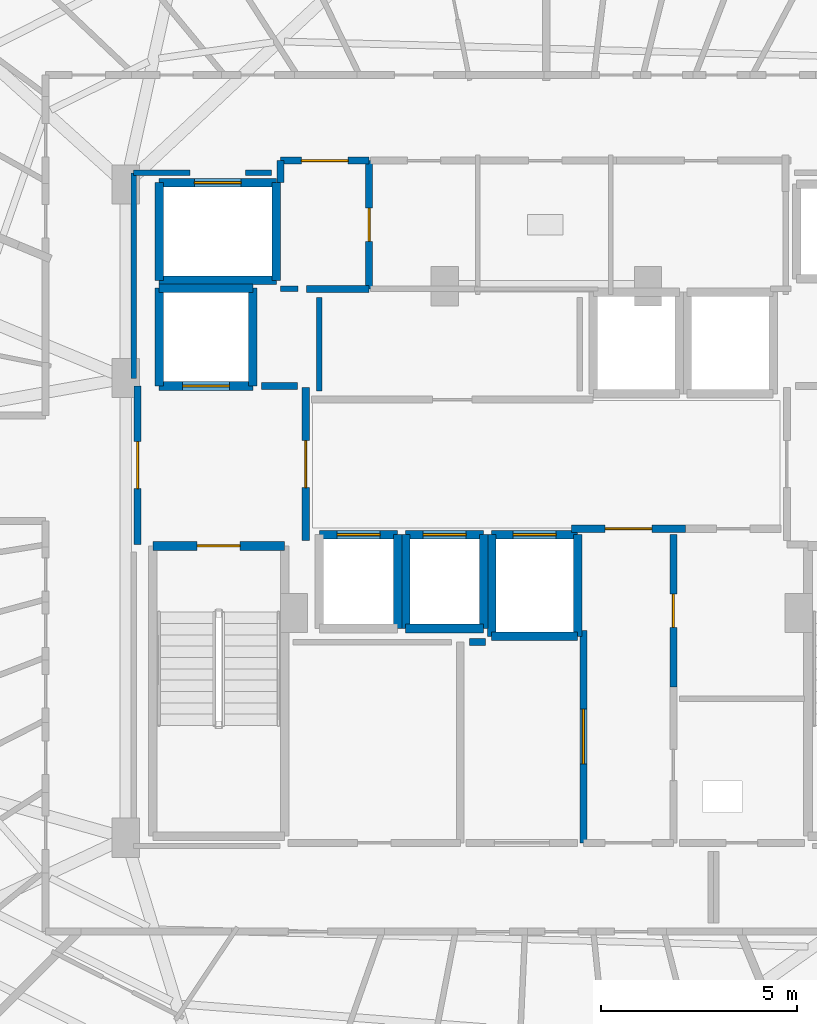
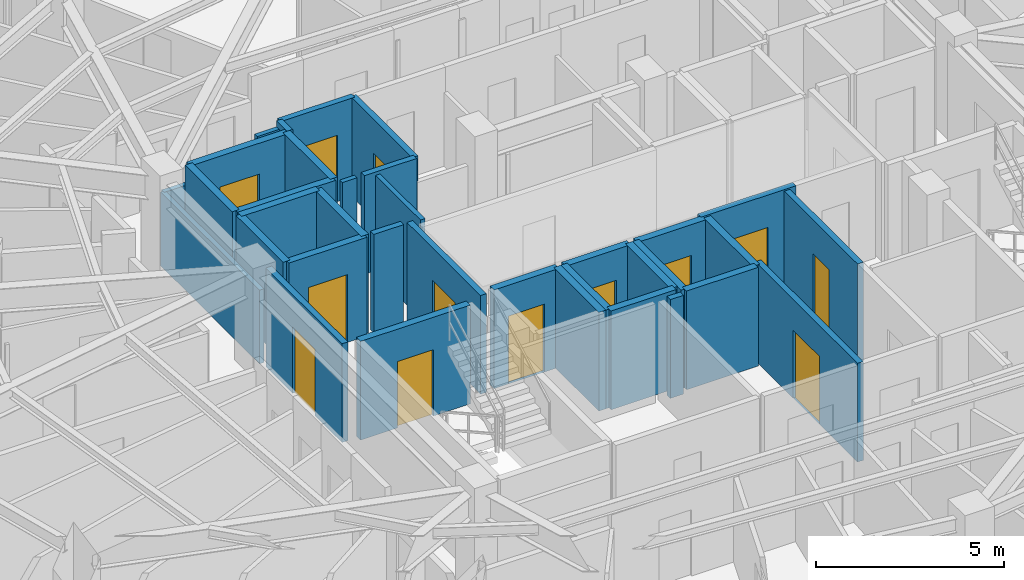
# One storey, part 26 of 33: 35 walls, 13 doors, 13 openings.
"""IFC4 building model written with IfcOpenShell, lengths in metres."""

from ifc_helpers import new_model, si_unit, direction, frame, frame_2d, origin, place, context, subcontext, project, spatial, rectangle, extrude, material, layer, layer_set, type_object, element, fill, save


model = new_model("IFC4")

# Units and contexts
model_context = context("Model", 3, precision=1e-05, world=origin(), true_north=direction((0.0, 1.0)))
body_context = subcontext(model_context, "Body", "Model", "MODEL_VIEW")
ifc_project = project(units=[si_unit("LENGTHUNIT", "METRE"), si_unit("AREAUNIT", "SQUARE_METRE"), si_unit("VOLUMEUNIT", "CUBIC_METRE"), si_unit("PLANEANGLEUNIT", "RADIAN"), si_unit("MASSUNIT", "GRAM", prefix="KILO")], contexts=[model_context])

# Site, building, storey
site_placement = place(None, origin())
site = spatial("IfcSite", under=ifc_project, at=site_placement, CompositionType="ELEMENT")
building_placement = place(site_placement, origin())
building = spatial("IfcBuilding", under=site, at=building_placement, Name="Vorneva Point Tower", CompositionType="ELEMENT")
storey_placement = place(building_placement, frame((0.0, 0.0, 221.39990234375)))
storey = spatial("IfcBuildingStorey", under=building, at=storey_placement, Name="L60", CompositionType="ELEMENT", Elevation=221.39990234375)

# Wall, opening, door
ifc_material_1 = material(Name="Concrete B60 (C50/60)", Category="concrete")
ifc_layer_1 = layer(ifc_material_1, 0.35009765625)
ifc_layer_set_1 = layer_set([ifc_layer_1], Name="Concrete B60 (C50/60)")
wall_type_1 = type_object("IfcWallType", Name="WL-CORE-350", PredefinedType="SHEAR", material=ifc_layer_set_1)
wall_1_placement = place(storey_placement, frame((28.10009765625, 28.0, 0.0), z_axis=(0.0, 0.0, 1.0), x_axis=(1.0, 0.0, 0.0)))
wall_1 = element("IfcWall", 1, at=wall_1_placement, inside=storey, type_object=wall_type_1, Name="L60 Lift FFL1 Shaft Wall -Y", PredefinedType="SHEAR", context=body_context, shape_type="SweptSolid", body=[
    extrude(rectangle(XDim=2.39990234375, YDim=0.219970703125, at=frame_2d((1.199951171875, 0.0))), origin(), (0.0, 0.0, 1.0), 3.2001953125),
])
opening_1_placement = place(wall_1_placement, frame((0.60009765625, 0.0, 0.0)))
opening_1 = element("IfcOpeningElement", 2, at=opening_1_placement, cuts=wall_1, Name="Opening LD-02", PredefinedType="OPENING", context=body_context, shape_type="SweptSolid", body=[
    extrude(rectangle(XDim=1.199951171875, YDim=2.199951171875, at=frame_2d((0.60009765625, 1.10009765625))), frame((0.0, 0.125, 0.0), z_axis=(0.0, -1.0, 0.0), x_axis=(1.0, 0.0, 0.0)), (0.0, 0.0, 1.0), 0.249755859375),
])
ifc_material_2 = material(Name="Brushed stainless steel S304", Category="steel")
door_type_1 = type_object("IfcDoorType", Name="LD-FIRE-1200", OperationType="SLIDING_TO_LEFT", PredefinedType="DOOR", material=ifc_material_2)
door_1_placement = place(opening_1_placement, origin())
door_1 = element("IfcDoor", 3, at=door_1_placement, inside=storey, type_object=door_type_1, Name="L60 Lift FFL1 Sliding Landing Door", OperationType="SLIDING_TO_LEFT", OverallHeight=2.199951171875, OverallWidth=1.199951171875, PredefinedType="DOOR", context=body_context, shape_type="SweptSolid", body=[
    extrude(rectangle(XDim=1.199951171875, YDim=2.199951171875, at=frame_2d((0.60009765625, 1.10009765625))), frame((0.0, 0.02490234375, 0.0), z_axis=(0.0, -1.0, 0.0), x_axis=(1.0, 0.0, 0.0)), (0.0, 0.0, 1.0), 0.050048828125),
])
fill(opening_1, door_1)

# Walls
wall_2_placement = place(storey_placement, frame((30.5, 28.0, 0.0), z_axis=(0.0, 0.0, 1.0), x_axis=(0.0, 1.0, 0.0)))
element("IfcWall", 4, at=wall_2_placement, inside=storey, type_object=wall_type_1, Name="L60 Lift FFL1 Shaft Wall +X", PredefinedType="SHEAR", context=body_context, shape_type="SweptSolid", body=[
    extrude(rectangle(XDim=2.5, YDim=0.219970703125, at=frame_2d((1.25, 0.0))), origin(), (0.0, 0.0, 1.0), 3.2001953125),
])
wall_3_placement = place(storey_placement, frame((30.5, 30.5, 0.0), z_axis=(0.0, 0.0, 1.0), x_axis=(-1.0, 0.0, 0.0)))
element("IfcWall", 5, at=wall_3_placement, inside=storey, type_object=wall_type_1, Name="L60 Lift FFL1 Shaft Wall +Y", PredefinedType="SHEAR", context=body_context, shape_type="SweptSolid", body=[
    extrude(rectangle(XDim=2.39990234375, YDim=0.219970703125, at=frame_2d((1.199951171875, 0.0))), origin(), (0.0, 0.0, 1.0), 3.2001953125),
])
wall_4_placement = place(storey_placement, frame((28.10009765625, 30.5, 0.0), z_axis=(0.0, 0.0, 1.0), x_axis=(0.0, -1.0, 0.0)))
element("IfcWall", 6, at=wall_4_placement, inside=storey, type_object=wall_type_1, Name="L60 Lift FFL1 Shaft Wall -X", PredefinedType="SHEAR", context=body_context, shape_type="SweptSolid", body=[
    extrude(rectangle(XDim=2.5, YDim=0.219970703125, at=frame_2d((1.25, 0.0))), origin(), (0.0, 0.0, 1.0), 3.2001953125),
])
ifc_material_3 = material(Name="Fire-rated acoustic gypsum stud partition", Category="gypsum")
ifc_layer_2 = layer(ifc_material_3, 0.139892578125)
ifc_layer_set_2 = layer_set([ifc_layer_2], Name="Fire-rated acoustic gypsum stud partition")
wall_type_2 = type_object("IfcWallType", Name="WL-PART-140", PredefinedType="PARTITIONING", material=ifc_layer_set_2)
wall_5_placement = place(storey_placement, frame((31.199951171875, 30.47998046875, 0.0), z_axis=(0.0, 0.0, 1.0), x_axis=(1.0, 0.0, 0.0)))
element("IfcWall", 7, at=wall_5_placement, inside=storey, type_object=wall_type_2, Name="L60 Interior Closure Partition 162", PredefinedType="PARTITIONING", context=body_context, shape_type="SweptSolid", body=[
    extrude(rectangle(XDim=0.449951171875, YDim=0.139892578125, at=frame_2d((0.22509765625, 0.0))), origin(), (0.0, 0.0, 1.0), 3.2001953125),
])
wall_6_placement = place(storey_placement, frame((32.199951171875, 30.260009765625, 0.0), z_axis=(0.0, 0.0, 1.0), x_axis=(0.0, -1.0, 0.0)))
element("IfcWall", 8, at=wall_6_placement, inside=storey, type_object=wall_type_2, Name="L60 Interior Closure Partition 167", PredefinedType="PARTITIONING", context=body_context, shape_type="SweptSolid", body=[
    extrude(rectangle(XDim=2.389892578125, YDim=0.139892578125, at=frame_2d((1.19482421875, 0.0))), origin(), (0.0, 0.0, 1.0), 3.2001953125),
])
wall_7_placement = place(storey_placement, frame((30.97998046875, 33.449951171875, 0.0), z_axis=(0.0, 0.0, 1.0), x_axis=(-1.0, 0.0, 0.0)))
element("IfcWall", 9, at=wall_7_placement, inside=storey, type_object=wall_type_2, Name="L60 Interior Closure Partition 172", PredefinedType="PARTITIONING", context=body_context, shape_type="SweptSolid", body=[
    extrude(rectangle(XDim=0.674072265625, YDim=0.139892578125, at=frame_2d((0.3369140625, 0.0))), origin(), (0.0, 0.0, 1.0), 3.2001953125),
])
wall_8_placement = place(storey_placement, frame((28.89404296875, 33.449951171875, 0.0), z_axis=(0.0, 0.0, 1.0), x_axis=(-1.0, 0.0, 0.0)))
element("IfcWall", 10, at=wall_8_placement, inside=storey, type_object=wall_type_2, Name="L60 Interior Closure Partition 173", PredefinedType="PARTITIONING", context=body_context, shape_type="SweptSolid", body=[
    extrude(rectangle(XDim=1.444091796875, YDim=0.139892578125, at=frame_2d((0.72216796875, 0.0))), origin(), (0.0, 0.0, 1.0), 2.39208984375),
])
wall_9_placement = place(storey_placement, frame((27.449951171875, 33.449951171875, 0.0), z_axis=(0.0, 0.0, 1.0), x_axis=(0.0, -1.0, 0.0)))
element("IfcWall", 11, at=wall_9_placement, inside=storey, type_object=wall_type_2, Name="L60 Interior Closure Partition 174", PredefinedType="PARTITIONING", context=body_context, shape_type="SweptSolid", body=[
    extrude(rectangle(XDim=5.25390625, YDim=0.139892578125, at=frame_2d((2.626953125, 0.0))), origin(), (0.0, 0.0, 1.0), 2.39208984375),
])

# Wall, opening, door
ifc_material_4 = material(Name="Autoclaved aerated concrete blockwork", Category="masonry")
ifc_layer_3 = layer(ifc_material_4, 0.179931640625)
ifc_layer_set_3 = layer_set([ifc_layer_3], Name="Autoclaved aerated concrete blockwork")
wall_type_3 = type_object("IfcWallType", Name="WL-PART-180", PredefinedType="PARTITIONING", material=ifc_layer_set_3)
wall_10_placement = place(storey_placement, frame((31.85009765625, 24.044921875, 0.0), z_axis=(0.0, 0.0, 1.0), x_axis=(0.0, 1.0, 0.0)))
wall_10 = element("IfcWall", 12, at=wall_10_placement, inside=storey, type_object=wall_type_3, Name="L60 Interior Partition 001", PredefinedType="PARTITIONING", context=body_context, shape_type="SweptSolid", body=[
    extrude(rectangle(XDim=3.91015625, YDim=0.179931640625, at=frame_2d((1.955078125, 0.0))), origin(), (0.0, 0.0, 1.0), 3.2001953125),
])
opening_2_placement = place(wall_10_placement, frame((1.35498046875, 0.0, 0.0)))
opening_2 = element("IfcOpeningElement", 13, at=opening_2_placement, cuts=wall_10, Name="Opening FD-02", PredefinedType="OPENING", context=body_context, shape_type="SweptSolid", body=[
    extrude(rectangle(XDim=1.199951171875, YDim=2.14990234375, at=frame_2d((0.60009765625, 1.074951171875))), frame((0.0, 0.10498046875, 0.0), z_axis=(0.0, -1.0, 0.0), x_axis=(1.0, 0.0, 0.0)), (0.0, 0.0, 1.0), 0.209716796875),
])
ifc_material_5 = material(Name="Fire-rated powder-coated steel", Category="steel")
door_type_2 = type_object("IfcDoorType", Name="DR-FFL-1200", OperationType="NOTDEFINED", PredefinedType="DOOR", material=ifc_material_5)
door_2_placement = place(opening_2_placement, origin())
door_2 = element("IfcDoor", 14, at=door_2_placement, inside=storey, type_object=door_type_2, Name="L60 Door West Firefighting Lobby / Central Lift Lobby", OperationType="SINGLE_SWING_RIGHT", OverallHeight=2.14990234375, OverallWidth=1.199951171875, PredefinedType="DOOR", context=body_context, shape_type="SweptSolid", body=[
    extrude(rectangle(XDim=1.199951171875, YDim=2.14990234375, at=frame_2d((0.60009765625, 1.074951171875))), frame((0.0, 0.02490234375, 0.0), z_axis=(0.0, -1.0, 0.0), x_axis=(1.0, 0.0, 0.0)), (0.0, 0.0, 1.0), 0.050048828125),
])
fill(opening_2, door_2)

wall_11_placement = place(storey_placement, frame((27.550048828125, 28.0, 0.0), z_axis=(0.0, 0.0, 1.0), x_axis=(0.0, -1.0, 0.0)))
wall_11 = element("IfcWall", 15, at=wall_11_placement, inside=storey, type_object=wall_type_3, Name="L60 Interior Partition 002", PredefinedType="PARTITIONING", context=body_context, shape_type="SweptSolid", body=[
    extrude(rectangle(XDim=4.050048828125, YDim=0.179931640625, at=frame_2d((2.02490234375, 0.0))), origin(), (0.0, 0.0, 1.0), 3.2001953125),
])
opening_3_placement = place(wall_11_placement, frame((1.425048828125, 0.0, 0.0)))
opening_3 = element("IfcOpeningElement", 16, at=opening_3_placement, cuts=wall_11, Name="Opening FD-02", PredefinedType="OPENING", context=body_context, shape_type="SweptSolid", body=[
    extrude(rectangle(XDim=1.199951171875, YDim=2.14990234375, at=frame_2d((0.60009765625, 1.074951171875))), frame((0.0, 0.10498046875, 0.0), z_axis=(0.0, -1.0, 0.0), x_axis=(1.0, 0.0, 0.0)), (0.0, 0.0, 1.0), 0.209716796875),
])
door_3_placement = place(opening_3_placement, origin())
door_3 = element("IfcDoor", 17, at=door_3_placement, inside=storey, type_object=door_type_2, Name="L60 Door West Firefighting Lobby / L60 Circulation Corridor", OperationType="SINGLE_SWING_RIGHT", OverallHeight=2.14990234375, OverallWidth=1.199951171875, PredefinedType="DOOR", context=body_context, shape_type="SweptSolid", body=[
    extrude(rectangle(XDim=1.199951171875, YDim=2.14990234375, at=frame_2d((0.60009765625, 1.074951171875))), frame((0.0, 0.02490234375, 0.0), z_axis=(0.0, -1.0, 0.0), x_axis=(1.0, 0.0, 0.0)), (0.0, 0.0, 1.0), 0.050048828125),
])
fill(opening_3, door_3)

wall_12_placement = place(storey_placement, frame((33.469970703125, 30.47998046875, 0.0), z_axis=(0.0, 0.0, 1.0), x_axis=(0.0, 1.0, 0.0)))
wall_12 = element("IfcWall", 18, at=wall_12_placement, inside=storey, type_object=wall_type_3, Name="L60 Interior Partition 006", PredefinedType="PARTITIONING", context=body_context, shape_type="SweptSolid", body=[
    extrude(rectangle(XDim=3.280029296875, YDim=0.179931640625, at=frame_2d((1.64013671875, 0.0))), origin(), (0.0, 0.0, 1.0), 3.2001953125),
])
opening_4_placement = place(wall_12_placement, frame((1.215087890625, 0.0, 0.0)))
opening_4 = element("IfcOpeningElement", 19, at=opening_4_placement, cuts=wall_12, Name="Opening ID-02", PredefinedType="OPENING", context=body_context, shape_type="SweptSolid", body=[
    extrude(rectangle(XDim=0.85009765625, YDim=2.10009765625, at=frame_2d((0.425048828125, 1.050048828125))), frame((0.0, 0.10498046875, 0.0), z_axis=(0.0, -1.0, 0.0), x_axis=(1.0, 0.0, 0.0)), (0.0, 0.0, 1.0), 0.209716796875),
])
ifc_material_6 = material(Name="Engineered oak fire-rated door leaf", Category="wood")
door_type_3 = type_object("IfcDoorType", Name="DR-BATH-850", OperationType="NOTDEFINED", PredefinedType="DOOR", material=ifc_material_6)
door_4_placement = place(opening_4_placement, origin())
door_4 = element("IfcDoor", 20, at=door_4_placement, inside=storey, type_object=door_type_3, Name="L60 Door Service Lift Lobby / Core Supply Store", OperationType="SINGLE_SWING_RIGHT", OverallHeight=2.10009765625, OverallWidth=0.85009765625, PredefinedType="DOOR", context=body_context, shape_type="SweptSolid", body=[
    extrude(rectangle(XDim=0.85009765625, YDim=2.10009765625, at=frame_2d((0.425048828125, 1.050048828125))), frame((0.0, 0.02490234375, 0.0), z_axis=(0.0, -1.0, 0.0), x_axis=(1.0, 0.0, 0.0)), (0.0, 0.0, 1.0), 0.050048828125),
])
fill(opening_4, door_4)

# Wall
wall_13_placement = place(storey_placement, frame((31.8701171875, 30.47998046875, 0.0), z_axis=(0.0, 0.0, 1.0), x_axis=(1.0, 0.0, 0.0)))
element("IfcWall", 21, at=wall_13_placement, inside=storey, type_object=wall_type_3, Name="L60 Interior Partition 007", PredefinedType="PARTITIONING", context=body_context, shape_type="SweptSolid", body=[
    extrude(rectangle(XDim=1.599853515625, YDim=0.179931640625, at=frame_2d((0.7998046875, 0.0))), origin(), (0.0, 0.0, 1.0), 3.2001953125),
])

# Wall, opening, door
wall_14_placement = place(storey_placement, frame((33.469970703125, 33.760009765625, 0.0), z_axis=(0.0, 0.0, 1.0), x_axis=(-1.0, 0.0, 0.0)))
wall_14 = element("IfcWall", 22, at=wall_14_placement, inside=storey, type_object=wall_type_3, Name="L60 Interior Partition 008", PredefinedType="PARTITIONING", context=body_context, shape_type="SweptSolid", body=[
    extrude(rectangle(XDim=2.27001953125, YDim=0.179931640625, at=frame_2d((1.135009765625, 0.0))), origin(), (0.0, 0.0, 1.0), 3.2001953125),
])
opening_5_placement = place(wall_14_placement, frame((0.534912109375, 0.0, 0.0)))
opening_5 = element("IfcOpeningElement", 23, at=opening_5_placement, cuts=wall_14, Name="Opening FD-02", PredefinedType="OPENING", context=body_context, shape_type="SweptSolid", body=[
    extrude(rectangle(XDim=1.199951171875, YDim=2.14990234375, at=frame_2d((0.60009765625, 1.074951171875))), frame((0.0, 0.10498046875, 0.0), z_axis=(0.0, -1.0, 0.0), x_axis=(1.0, 0.0, 0.0)), (0.0, 0.0, 1.0), 0.209716796875),
])
door_5_placement = place(opening_5_placement, origin())
door_5 = element("IfcDoor", 24, at=door_5_placement, inside=storey, type_object=door_type_2, Name="L60 Door Service Lift Lobby / L60 Circulation Corridor", OperationType="SINGLE_SWING_LEFT", OverallHeight=2.14990234375, OverallWidth=1.199951171875, PredefinedType="DOOR", context=body_context, shape_type="SweptSolid", body=[
    extrude(rectangle(XDim=1.199951171875, YDim=2.14990234375, at=frame_2d((0.60009765625, 1.074951171875))), frame((0.0, 0.02490234375, 0.0), z_axis=(0.0, -1.0, 0.0), x_axis=(1.0, 0.0, 0.0)), (0.0, 0.0, 1.0), 0.050048828125),
])
fill(opening_5, door_5)

# Wall
wall_15_placement = place(storey_placement, frame((31.199951171875, 33.760009765625, 0.0), z_axis=(0.0, 0.0, 1.0), x_axis=(0.0, -1.0, 0.0)))
element("IfcWall", 25, at=wall_15_placement, inside=storey, type_object=wall_type_3, Name="L60 Interior Partition 009", PredefinedType="PARTITIONING", context=body_context, shape_type="SweptSolid", body=[
    extrude(rectangle(XDim=0.56005859375, YDim=0.179931640625, at=frame_2d((0.280029296875, 0.0))), origin(), (0.0, 0.0, 1.0), 3.2001953125),
])

# Wall, opening, door
wall_16_placement = place(storey_placement, frame((38.64501953125, 24.35009765625, 0.0), z_axis=(0.0, 0.0, 1.0), x_axis=(1.0, 0.0, 0.0)))
wall_16 = element("IfcWall", 26, at=wall_16_placement, inside=storey, type_object=wall_type_3, Name="L60 Interior Partition 010", PredefinedType="PARTITIONING", context=body_context, shape_type="SweptSolid", body=[
    extrude(rectangle(XDim=2.909912109375, YDim=0.179931640625, at=frame_2d((1.455078125, 0.0))), origin(), (0.0, 0.0, 1.0), 3.2001953125),
])
opening_6_placement = place(wall_16_placement, frame((0.85498046875, 0.0, 0.0)))
opening_6 = element("IfcOpeningElement", 27, at=opening_6_placement, cuts=wall_16, Name="Opening FD-02", PredefinedType="OPENING", context=body_context, shape_type="SweptSolid", body=[
    extrude(rectangle(XDim=1.199951171875, YDim=2.14990234375, at=frame_2d((0.60009765625, 1.074951171875))), frame((0.0, 0.10498046875, 0.0), z_axis=(0.0, -1.0, 0.0), x_axis=(1.0, 0.0, 0.0)), (0.0, 0.0, 1.0), 0.209716796875),
])
door_6_placement = place(opening_6_placement, origin())
door_6 = element("IfcDoor", 28, at=door_6_placement, inside=storey, type_object=door_type_2, Name="L60 Door Central Lift Lobby / Core Service Lobby", OperationType="SINGLE_SWING_RIGHT", OverallHeight=2.14990234375, OverallWidth=1.199951171875, PredefinedType="DOOR", context=body_context, shape_type="SweptSolid", body=[
    extrude(rectangle(XDim=1.199951171875, YDim=2.14990234375, at=frame_2d((0.60009765625, 1.074951171875))), frame((0.0, 0.02490234375, 0.0), z_axis=(0.0, -1.0, 0.0), x_axis=(1.0, 0.0, 0.0)), (0.0, 0.0, 1.0), 0.050048828125),
])
fill(opening_6, door_6)

wall_17_placement = place(storey_placement, frame((41.25, 20.304931640625, 0.0), z_axis=(0.0, 0.0, 1.0), x_axis=(0.0, 1.0, 0.0)))
wall_17 = element("IfcWall", 29, at=wall_17_placement, inside=storey, type_object=wall_type_3, Name="L60 Interior Partition 014", PredefinedType="PARTITIONING", context=body_context, shape_type="SweptSolid", body=[
    extrude(rectangle(XDim=3.89501953125, YDim=0.179931640625, at=frame_2d((1.947509765625, 0.0))), origin(), (0.0, 0.0, 1.0), 3.2001953125),
])
opening_7_placement = place(wall_17_placement, frame((1.5224609375, 0.0, 0.0)))
opening_7 = element("IfcOpeningElement", 30, at=opening_7_placement, cuts=wall_17, Name="Opening ID-02", PredefinedType="OPENING", context=body_context, shape_type="SweptSolid", body=[
    extrude(rectangle(XDim=0.85009765625, YDim=2.10009765625, at=frame_2d((0.425048828125, 1.050048828125))), frame((0.0, 0.10498046875, 0.0), z_axis=(0.0, -1.0, 0.0), x_axis=(1.0, 0.0, 0.0)), (0.0, 0.0, 1.0), 0.209716796875),
])
door_7_placement = place(opening_7_placement, origin())
door_7 = element("IfcDoor", 31, at=door_7_placement, inside=storey, type_object=door_type_3, Name="L60 Door Core Service Lobby / Valet and Parcel Room", OperationType="SINGLE_SWING_RIGHT", OverallHeight=2.10009765625, OverallWidth=0.85009765625, PredefinedType="DOOR", context=body_context, shape_type="SweptSolid", body=[
    extrude(rectangle(XDim=0.85009765625, YDim=2.10009765625, at=frame_2d((0.425048828125, 1.050048828125))), frame((0.0, 0.02490234375, 0.0), z_axis=(0.0, -1.0, 0.0), x_axis=(1.0, 0.0, 0.0)), (0.0, 0.0, 1.0), 0.050048828125),
])
fill(opening_7, door_7)

wall_18_placement = place(storey_placement, frame((38.949951171875, 21.7548828125, 0.0), z_axis=(0.0, 0.0, 1.0), x_axis=(0.0, -1.0, 0.0)))
wall_18 = element("IfcWall", 32, at=wall_18_placement, inside=storey, type_object=wall_type_3, Name="L60 Interior Partition 015", PredefinedType="PARTITIONING", context=body_context, shape_type="SweptSolid", body=[
    extrude(rectangle(XDim=5.434814453125, YDim=0.179931640625, at=frame_2d((2.71728515625, 0.0))), origin(), (0.0, 0.0, 1.0), 3.2001953125),
])
opening_8_placement = place(wall_18_placement, frame((2.017578125, 0.0, 0.0)))
opening_8 = element("IfcOpeningElement", 33, at=opening_8_placement, cuts=wall_18, Name="Opening FD-03", PredefinedType="OPENING", context=body_context, shape_type="SweptSolid", body=[
    extrude(rectangle(XDim=1.39990234375, YDim=2.199951171875, at=frame_2d((0.699951171875, 1.10009765625))), frame((0.0, 0.10498046875, 0.0), z_axis=(0.0, -1.0, 0.0), x_axis=(1.0, 0.0, 0.0)), (0.0, 0.0, 1.0), 0.209716796875),
])
door_type_4 = type_object("IfcDoorType", Name="DR-PLT-1400", OperationType="DOUBLE_SWING_LEFT", PredefinedType="DOOR", material=ifc_material_5)
door_8_placement = place(opening_8_placement, origin())
door_8 = element("IfcDoor", 34, at=door_8_placement, inside=storey, type_object=door_type_4, Name="L60 Door Core Service Lobby / Telecoms and Data Room", OperationType="DOUBLE_SWING_LEFT", OverallHeight=2.199951171875, OverallWidth=1.39990234375, PredefinedType="DOOR", context=body_context, shape_type="SweptSolid", body=[
    extrude(rectangle(XDim=1.39990234375, YDim=2.199951171875, at=frame_2d((0.699951171875, 1.10009765625))), frame((0.0, 0.02490234375, 0.0), z_axis=(0.0, -1.0, 0.0), x_axis=(1.0, 0.0, 0.0)), (0.0, 0.0, 1.0), 0.050048828125),
])
fill(opening_8, door_8)

# Walls
wall_19_placement = place(storey_placement, frame((31.635009765625, 28.0, 0.0), z_axis=(0.0, 0.0, 1.0), x_axis=(-1.0, 0.0, 0.0)))
element("IfcWall", 35, at=wall_19_placement, inside=storey, type_object=wall_type_3, Name="L60 Interior Closure Partition 160", PredefinedType="PARTITIONING", context=body_context, shape_type="SweptSolid", body=[
    extrude(rectangle(XDim=0.9150390625, YDim=0.179931640625, at=frame_2d((0.45751953125, 0.0))), origin(), (0.0, 0.0, 1.0), 3.2001953125),
])
wall_20_placement = place(storey_placement, frame((36.43896484375, 21.449951171875, 0.0), z_axis=(0.0, 0.0, 1.0), x_axis=(-1.0, 0.0, 0.0)))
element("IfcWall", 36, at=wall_20_placement, inside=storey, type_object=wall_type_3, Name="L60 Interior Closure Partition 166", PredefinedType="PARTITIONING", context=body_context, shape_type="SweptSolid", body=[
    extrude(rectangle(XDim=0.408935546875, YDim=0.179931640625, at=frame_2d((0.20458984375, 0.0))), origin(), (0.0, 0.0, 1.0), 3.2001953125),
])

# Wall, opening, door
ifc_material_7 = material(Name="Concrete B50 (C40/50)", Category="concrete")
ifc_layer_4 = layer(ifc_material_7, 0.219970703125)
ifc_layer_set_4 = layer_set([ifc_layer_4], Name="Concrete B50 (C40/50)")
wall_type_4 = type_object("IfcWallType", Name="WL-SHFT-220", PredefinedType="SOLIDWALL", material=ifc_layer_set_4)
wall_21_placement = place(storey_placement, frame((27.93994140625, 23.909912109375, 0.0), z_axis=(0.0, 0.0, 1.0), x_axis=(1.0, 0.0, 0.0)))
wall_21 = element("IfcWall", 37, at=wall_21_placement, inside=storey, type_object=wall_type_4, Name="L60 Exit Stair ST1 Shaft Wall near", PredefinedType="SOLIDWALL", context=body_context, shape_type="SweptSolid", body=[
    extrude(rectangle(XDim=3.3701171875, YDim=0.219970703125, at=frame_2d((1.68505859375, 0.0))), origin(), (0.0, 0.0, 1.0), 3.2001953125),
])
opening_9_placement = place(wall_21_placement, frame((1.135009765625, 0.0, 0.0)))
opening_9 = element("IfcOpeningElement", 38, at=opening_9_placement, cuts=wall_21, Name="Opening FD-01", PredefinedType="OPENING", context=body_context, shape_type="SweptSolid", body=[
    extrude(rectangle(XDim=1.10009765625, YDim=2.14990234375, at=frame_2d((0.550048828125, 1.074951171875))), frame((0.0, 0.125, 0.0), z_axis=(0.0, -1.0, 0.0), x_axis=(1.0, 0.0, 0.0)), (0.0, 0.0, 1.0), 0.249755859375),
])
door_type_5 = type_object("IfcDoorType", Name="DR-STAIR-1100", OperationType="NOTDEFINED", PredefinedType="DOOR", material=ifc_material_5)
door_9_placement = place(opening_9_placement, origin())
door_9 = element("IfcDoor", 39, at=door_9_placement, inside=storey, type_object=door_type_5, Name="L60 Exit Stair ST1 Fire Door", OperationType="SINGLE_SWING_RIGHT", OverallHeight=2.14990234375, OverallWidth=1.10009765625, PredefinedType="DOOR", context=body_context, shape_type="SweptSolid", body=[
    extrude(rectangle(XDim=1.10009765625, YDim=2.14990234375, at=frame_2d((0.550048828125, 1.074951171875))), frame((0.0, 0.02490234375, 0.0), z_axis=(0.0, -1.0, 0.0), x_axis=(1.0, 0.0, 0.0)), (0.0, 0.0, 1.0), 0.050048828125),
])
fill(opening_9, door_9)

# Wall
wall_22_placement = place(storey_placement, frame((34.199951171875, 21.800048828125, 0.0), z_axis=(0.0, 0.0, 1.0), x_axis=(0.0, 1.0, 0.0)))
element("IfcWall", 40, at=wall_22_placement, inside=storey, type_object=wall_type_4, Name="L60 Lift PL4 Shaft Wall +X", PredefinedType="SOLIDWALL", context=body_context, shape_type="SweptSolid", body=[
    extrude(rectangle(XDim=2.39990234375, YDim=0.219970703125, at=frame_2d((1.199951171875, 0.0))), origin(), (0.0, 0.0, 1.0), 3.2001953125),
])

# Wall, opening, door
wall_23_placement = place(storey_placement, frame((34.199951171875, 24.199951171875, 0.0), z_axis=(0.0, 0.0, 1.0), x_axis=(-1.0, 0.0, 0.0)))
wall_23 = element("IfcWall", 41, at=wall_23_placement, inside=storey, type_object=wall_type_4, Name="L60 Lift PL4 Shaft Wall +Y", PredefinedType="SOLIDWALL", context=body_context, shape_type="SweptSolid", body=[
    extrude(rectangle(XDim=2.0, YDim=0.219970703125, at=frame_2d((1.0, 0.0))), origin(), (0.0, 0.0, 1.0), 3.2001953125),
])
opening_10_placement = place(wall_23_placement, frame((0.449951171875, 0.0, 0.0)))
opening_10 = element("IfcOpeningElement", 42, at=opening_10_placement, cuts=wall_23, Name="Opening LD-01", PredefinedType="OPENING", context=body_context, shape_type="SweptSolid", body=[
    extrude(rectangle(XDim=1.10009765625, YDim=2.199951171875, at=frame_2d((0.550048828125, 1.10009765625))), frame((0.0, 0.125, 0.0), z_axis=(0.0, -1.0, 0.0), x_axis=(1.0, 0.0, 0.0)), (0.0, 0.0, 1.0), 0.249755859375),
])
door_type_6 = type_object("IfcDoorType", Name="LD-PASS-1100", OperationType="SLIDING_TO_LEFT", PredefinedType="DOOR", material=ifc_material_2)
door_10_placement = place(opening_10_placement, origin())
door_10 = element("IfcDoor", 43, at=door_10_placement, inside=storey, type_object=door_type_6, Name="L60 Lift PL4 Sliding Landing Door", OperationType="SLIDING_TO_LEFT", OverallHeight=2.199951171875, OverallWidth=1.10009765625, PredefinedType="DOOR", context=body_context, shape_type="SweptSolid", body=[
    extrude(rectangle(XDim=1.10009765625, YDim=2.199951171875, at=frame_2d((0.550048828125, 1.10009765625))), frame((0.0, 0.02490234375, 0.0), z_axis=(0.0, -1.0, 0.0), x_axis=(1.0, 0.0, 0.0)), (0.0, 0.0, 1.0), 0.050048828125),
])
fill(opening_10, door_10)

# Walls
wall_24_placement = place(storey_placement, frame((34.39990234375, 21.800048828125, 0.0), z_axis=(0.0, 0.0, 1.0), x_axis=(1.0, 0.0, 0.0)))
element("IfcWall", 44, at=wall_24_placement, inside=storey, type_object=wall_type_4, Name="L60 Lift PL5 Shaft Wall -Y", PredefinedType="SOLIDWALL", context=body_context, shape_type="SweptSolid", body=[
    extrude(rectangle(XDim=2.0, YDim=0.219970703125, at=frame_2d((1.0, 0.0))), origin(), (0.0, 0.0, 1.0), 3.2001953125),
])
wall_25_placement = place(storey_placement, frame((36.39990234375, 21.800048828125, 0.0), z_axis=(0.0, 0.0, 1.0), x_axis=(0.0, 1.0, 0.0)))
element("IfcWall", 45, at=wall_25_placement, inside=storey, type_object=wall_type_4, Name="L60 Lift PL5 Shaft Wall +X", PredefinedType="SOLIDWALL", context=body_context, shape_type="SweptSolid", body=[
    extrude(rectangle(XDim=2.39990234375, YDim=0.219970703125, at=frame_2d((1.199951171875, 0.0))), origin(), (0.0, 0.0, 1.0), 3.2001953125),
])

# Wall, opening, door
wall_26_placement = place(storey_placement, frame((36.39990234375, 24.199951171875, 0.0), z_axis=(0.0, 0.0, 1.0), x_axis=(-1.0, 0.0, 0.0)))
wall_26 = element("IfcWall", 46, at=wall_26_placement, inside=storey, type_object=wall_type_4, Name="L60 Lift PL5 Shaft Wall +Y", PredefinedType="SOLIDWALL", context=body_context, shape_type="SweptSolid", body=[
    extrude(rectangle(XDim=2.0, YDim=0.219970703125, at=frame_2d((1.0, 0.0))), origin(), (0.0, 0.0, 1.0), 3.2001953125),
])
opening_11_placement = place(wall_26_placement, frame((0.449951171875, 0.0, 0.0)))
opening_11 = element("IfcOpeningElement", 47, at=opening_11_placement, cuts=wall_26, Name="Opening LD-01", PredefinedType="OPENING", context=body_context, shape_type="SweptSolid", body=[
    extrude(rectangle(XDim=1.10009765625, YDim=2.199951171875, at=frame_2d((0.550048828125, 1.10009765625))), frame((0.0, 0.125, 0.0), z_axis=(0.0, -1.0, 0.0), x_axis=(1.0, 0.0, 0.0)), (0.0, 0.0, 1.0), 0.249755859375),
])
door_11_placement = place(opening_11_placement, origin())
door_11 = element("IfcDoor", 48, at=door_11_placement, inside=storey, type_object=door_type_6, Name="L60 Lift PL5 Sliding Landing Door", OperationType="SLIDING_TO_LEFT", OverallHeight=2.199951171875, OverallWidth=1.10009765625, PredefinedType="DOOR", context=body_context, shape_type="SweptSolid", body=[
    extrude(rectangle(XDim=1.10009765625, YDim=2.199951171875, at=frame_2d((0.550048828125, 1.10009765625))), frame((0.0, 0.02490234375, 0.0), z_axis=(0.0, -1.0, 0.0), x_axis=(1.0, 0.0, 0.0)), (0.0, 0.0, 1.0), 0.050048828125),
])
fill(opening_11, door_11)

# Walls
wall_27_placement = place(storey_placement, frame((34.39990234375, 24.199951171875, 0.0), z_axis=(0.0, 0.0, 1.0), x_axis=(0.0, -1.0, 0.0)))
element("IfcWall", 49, at=wall_27_placement, inside=storey, type_object=wall_type_4, Name="L60 Lift PL5 Shaft Wall -X", PredefinedType="SOLIDWALL", context=body_context, shape_type="SweptSolid", body=[
    extrude(rectangle(XDim=2.39990234375, YDim=0.219970703125, at=frame_2d((1.199951171875, 0.0))), origin(), (0.0, 0.0, 1.0), 3.2001953125),
])
wall_28_placement = place(storey_placement, frame((36.60009765625, 21.60009765625, 0.0), z_axis=(0.0, 0.0, 1.0), x_axis=(1.0, 0.0, 0.0)))
element("IfcWall", 50, at=wall_28_placement, inside=storey, type_object=wall_type_4, Name="L60 Lift PL6 Shaft Wall -Y", PredefinedType="SOLIDWALL", context=body_context, shape_type="SweptSolid", body=[
    extrude(rectangle(XDim=2.199951171875, YDim=0.219970703125, at=frame_2d((1.10009765625, 0.0))), origin(), (0.0, 0.0, 1.0), 3.2001953125),
])
wall_29_placement = place(storey_placement, frame((38.800048828125, 21.60009765625, 0.0), z_axis=(0.0, 0.0, 1.0), x_axis=(0.0, 1.0, 0.0)))
element("IfcWall", 51, at=wall_29_placement, inside=storey, type_object=wall_type_4, Name="L60 Lift PL6 Shaft Wall +X", PredefinedType="SOLIDWALL", context=body_context, shape_type="SweptSolid", body=[
    extrude(rectangle(XDim=2.599853515625, YDim=0.219970703125, at=frame_2d((1.2998046875, 0.0))), origin(), (0.0, 0.0, 1.0), 3.2001953125),
])

# Wall, opening, door
wall_30_placement = place(storey_placement, frame((38.800048828125, 24.199951171875, 0.0), z_axis=(0.0, 0.0, 1.0), x_axis=(-1.0, 0.0, 0.0)))
wall_30 = element("IfcWall", 52, at=wall_30_placement, inside=storey, type_object=wall_type_4, Name="L60 Lift PL6 Shaft Wall +Y", PredefinedType="SOLIDWALL", context=body_context, shape_type="SweptSolid", body=[
    extrude(rectangle(XDim=2.199951171875, YDim=0.219970703125, at=frame_2d((1.10009765625, 0.0))), origin(), (0.0, 0.0, 1.0), 3.2001953125),
])
opening_12_placement = place(wall_30_placement, frame((0.550048828125, 0.0, 0.0)))
opening_12 = element("IfcOpeningElement", 53, at=opening_12_placement, cuts=wall_30, Name="Opening LD-01", PredefinedType="OPENING", context=body_context, shape_type="SweptSolid", body=[
    extrude(rectangle(XDim=1.10009765625, YDim=2.199951171875, at=frame_2d((0.550048828125, 1.10009765625))), frame((0.0, 0.125, 0.0), z_axis=(0.0, -1.0, 0.0), x_axis=(1.0, 0.0, 0.0)), (0.0, 0.0, 1.0), 0.249755859375),
])
door_12_placement = place(opening_12_placement, origin())
door_12 = element("IfcDoor", 54, at=door_12_placement, inside=storey, type_object=door_type_6, Name="L60 Lift PL6 Sliding Landing Door", OperationType="SLIDING_TO_LEFT", OverallHeight=2.199951171875, OverallWidth=1.10009765625, PredefinedType="DOOR", context=body_context, shape_type="SweptSolid", body=[
    extrude(rectangle(XDim=1.10009765625, YDim=2.199951171875, at=frame_2d((0.550048828125, 1.10009765625))), frame((0.0, 0.02490234375, 0.0), z_axis=(0.0, -1.0, 0.0), x_axis=(1.0, 0.0, 0.0)), (0.0, 0.0, 1.0), 0.050048828125),
])
fill(opening_12, door_12)

# Walls
wall_31_placement = place(storey_placement, frame((36.60009765625, 24.199951171875, 0.0), z_axis=(0.0, 0.0, 1.0), x_axis=(0.0, -1.0, 0.0)))
element("IfcWall", 55, at=wall_31_placement, inside=storey, type_object=wall_type_4, Name="L60 Lift PL6 Shaft Wall -X", PredefinedType="SOLIDWALL", context=body_context, shape_type="SweptSolid", body=[
    extrude(rectangle(XDim=2.599853515625, YDim=0.219970703125, at=frame_2d((1.2998046875, 0.0))), origin(), (0.0, 0.0, 1.0), 3.2001953125),
])
wall_32_placement = place(storey_placement, frame((28.10009765625, 30.699951171875, 0.0), z_axis=(0.0, 0.0, 1.0), x_axis=(1.0, 0.0, 0.0)))
element("IfcWall", 56, at=wall_32_placement, inside=storey, type_object=wall_type_4, Name="L60 Lift SVL1 Shaft Wall -Y", PredefinedType="SOLIDWALL", context=body_context, shape_type="SweptSolid", body=[
    extrude(rectangle(XDim=3.0, YDim=0.219970703125, at=frame_2d((1.5, 0.0))), origin(), (0.0, 0.0, 1.0), 3.2001953125),
])
wall_33_placement = place(storey_placement, frame((31.10009765625, 30.699951171875, 0.0), z_axis=(0.0, 0.0, 1.0), x_axis=(0.0, 1.0, 0.0)))
element("IfcWall", 57, at=wall_33_placement, inside=storey, type_object=wall_type_4, Name="L60 Lift SVL1 Shaft Wall +X", PredefinedType="SOLIDWALL", context=body_context, shape_type="SweptSolid", body=[
    extrude(rectangle(XDim=2.5, YDim=0.219970703125, at=frame_2d((1.25, 0.0))), origin(), (0.0, 0.0, 1.0), 3.2001953125),
])

# Wall, opening, door
wall_34_placement = place(storey_placement, frame((31.10009765625, 33.199951171875, 0.0), z_axis=(0.0, 0.0, 1.0), x_axis=(-1.0, 0.0, 0.0)))
wall_34 = element("IfcWall", 58, at=wall_34_placement, inside=storey, type_object=wall_type_4, Name="L60 Lift SVL1 Shaft Wall +Y", PredefinedType="SOLIDWALL", context=body_context, shape_type="SweptSolid", body=[
    extrude(rectangle(XDim=3.0, YDim=0.219970703125, at=frame_2d((1.5, 0.0))), origin(), (0.0, 0.0, 1.0), 3.2001953125),
])
opening_13_placement = place(wall_34_placement, frame((0.89990234375, 0.0, 0.0)))
opening_13 = element("IfcOpeningElement", 59, at=opening_13_placement, cuts=wall_34, Name="Opening LD-02", PredefinedType="OPENING", context=body_context, shape_type="SweptSolid", body=[
    extrude(rectangle(XDim=1.199951171875, YDim=2.199951171875, at=frame_2d((0.60009765625, 1.10009765625))), frame((0.0, 0.125, 0.0), z_axis=(0.0, -1.0, 0.0), x_axis=(1.0, 0.0, 0.0)), (0.0, 0.0, 1.0), 0.249755859375),
])
door_13_placement = place(opening_13_placement, origin())
door_13 = element("IfcDoor", 60, at=door_13_placement, inside=storey, type_object=door_type_1, Name="L60 Lift SVL1 Sliding Landing Door", OperationType="SLIDING_TO_LEFT", OverallHeight=2.199951171875, OverallWidth=1.199951171875, PredefinedType="DOOR", context=body_context, shape_type="SweptSolid", body=[
    extrude(rectangle(XDim=1.199951171875, YDim=2.199951171875, at=frame_2d((0.60009765625, 1.10009765625))), frame((0.0, 0.02490234375, 0.0), z_axis=(0.0, -1.0, 0.0), x_axis=(1.0, 0.0, 0.0)), (0.0, 0.0, 1.0), 0.050048828125),
])
fill(opening_13, door_13)

# Wall
wall_35_placement = place(storey_placement, frame((28.10009765625, 33.199951171875, 0.0), z_axis=(0.0, 0.0, 1.0), x_axis=(0.0, -1.0, 0.0)))
element("IfcWall", 61, at=wall_35_placement, inside=storey, type_object=wall_type_4, Name="L60 Lift SVL1 Shaft Wall -X", PredefinedType="SOLIDWALL", context=body_context, shape_type="SweptSolid", body=[
    extrude(rectangle(XDim=2.5, YDim=0.219970703125, at=frame_2d((1.25, 0.0))), origin(), (0.0, 0.0, 1.0), 3.2001953125),
])

save(model, "model.ifc")
